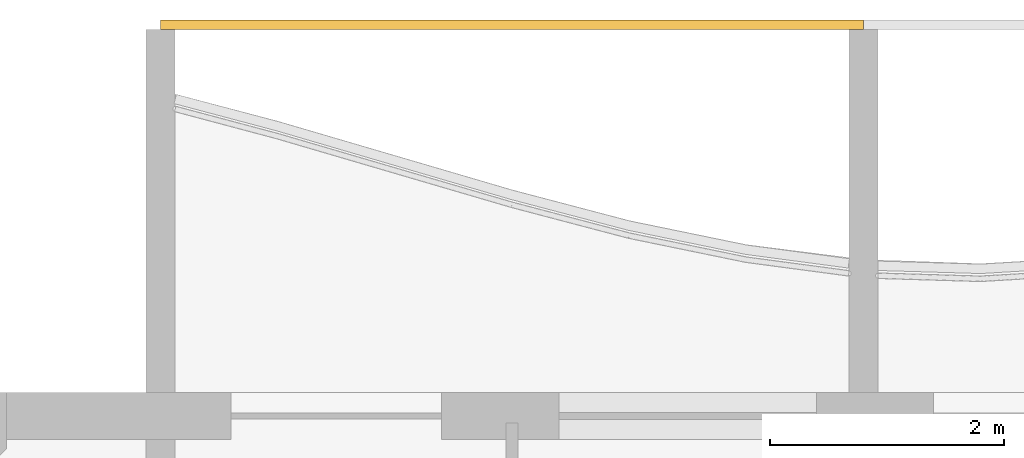
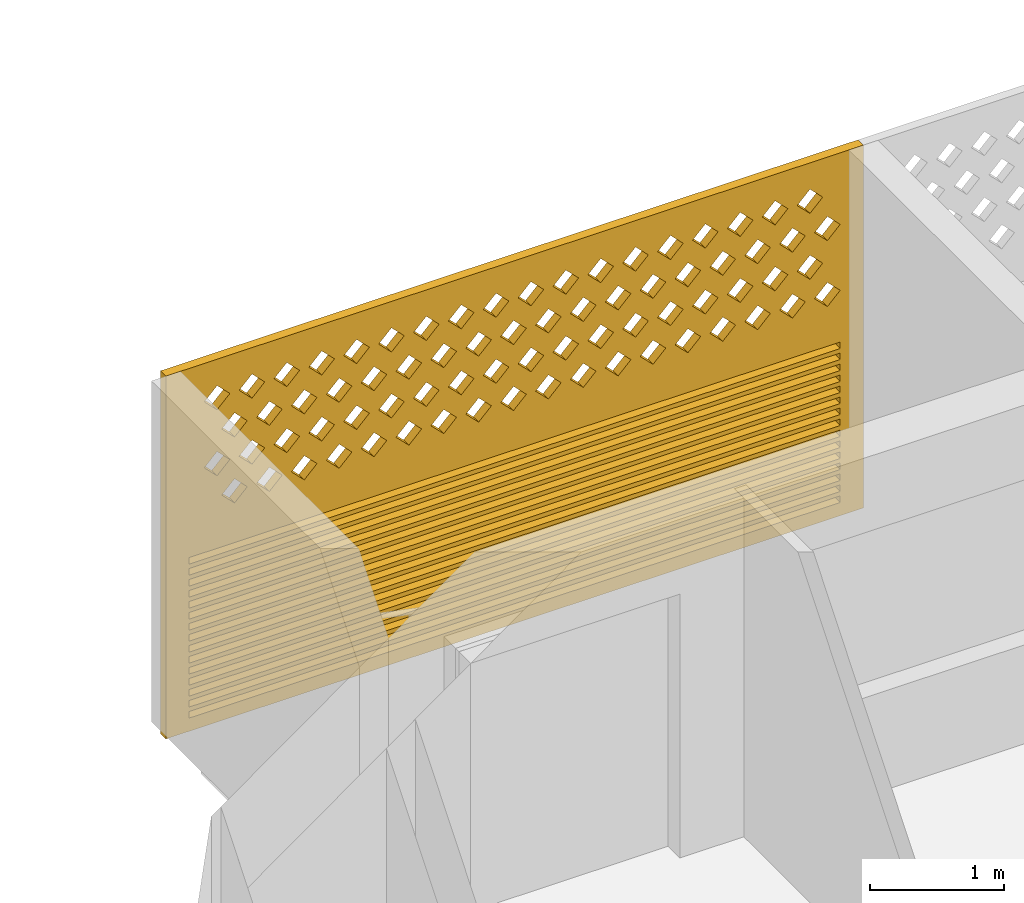
# One storey, part 17 of 27: 1 covering.
"""IFC4 building model written with IfcOpenShell, lengths in metres."""

from ifc_helpers import new_model, si_unit, direction, frame, origin, place, context, subcontext, project, spatial, polyline, outline, extrude, source, transform, mapped, material, material_profile, profile_set, type_object, element, save


model = new_model("IFC4")

# Units and contexts
model_context = context("Model", 3, precision=1e-05, world=origin(), true_north=direction((0.0, 1.0)))
body_context = subcontext(model_context, "Body", "Model", "MODEL_VIEW")
ifc_project = project(units=[si_unit("LENGTHUNIT", "METRE"), si_unit("AREAUNIT", "SQUARE_METRE"), si_unit("VOLUMEUNIT", "CUBIC_METRE"), si_unit("PLANEANGLEUNIT", "RADIAN"), si_unit("MASSUNIT", "GRAM", prefix="KILO")], contexts=[model_context])

# Site, building, storey
site_placement = place(None, origin())
site = spatial("IfcSite", under=ifc_project, at=site_placement, CompositionType="ELEMENT")
building_placement = place(site_placement, origin())
building = spatial("IfcBuilding", under=site, at=building_placement, Name="Poui Terraces", CompositionType="ELEMENT")
storey_placement = place(building_placement, frame((0.0, 0.0, 191.699951171875)))
storey = spatial("IfcBuildingStorey", under=building, at=storey_placement, Name="L53", CompositionType="ELEMENT", Elevation=191.699951171875)

# Covering
ifc_material = material(Name="Terracotta screen", Category="masonry")
ifc_material_profile = material_profile(ifc_material, outline(polyline([(-3.0, -1.64990234375), (3.0, -1.64990234375), (3.0, 1.64990234375), (-3.0, 1.64990234375), (-3.0, -1.64990234375)]), holes=[polyline([(-2.800048828125, 0.39990234375), (-2.68994140625, 0.2900390625), (-2.580078125, 0.39990234375), (-2.68994140625, 0.510009765625), (-2.800048828125, 0.39990234375)]), polyline([(-2.5, 0.39990234375), (-2.389892578125, 0.2900390625), (-2.280029296875, 0.39990234375), (-2.389892578125, 0.510009765625), (-2.5, 0.39990234375)]), polyline([(-2.199951171875, 0.39990234375), (-2.090087890625, 0.2900390625), (-1.97998046875, 0.39990234375), (-2.090087890625, 0.510009765625), (-2.199951171875, 0.39990234375)]), polyline([(-1.89990234375, 0.39990234375), (-1.7900390625, 0.2900390625), (-1.679931640625, 0.39990234375), (-1.7900390625, 0.510009765625), (-1.89990234375, 0.39990234375)]), polyline([(-1.60009765625, 0.39990234375), (-1.489990234375, 0.2900390625), (-1.3798828125, 0.39990234375), (-1.489990234375, 0.510009765625), (-1.60009765625, 0.39990234375)]), polyline([(-1.300048828125, 0.39990234375), (-1.18994140625, 0.2900390625), (-1.080078125, 0.39990234375), (-1.18994140625, 0.510009765625), (-1.300048828125, 0.39990234375)]), polyline([(-1.0, 0.39990234375), (-0.889892578125, 0.2900390625), (-0.780029296875, 0.39990234375), (-0.889892578125, 0.510009765625), (-1.0, 0.39990234375)]), polyline([(-0.699951171875, 0.39990234375), (-0.590087890625, 0.2900390625), (-0.47998046875, 0.39990234375), (-0.590087890625, 0.510009765625), (-0.699951171875, 0.39990234375)]), polyline([(-0.39990234375, 0.39990234375), (-0.2900390625, 0.2900390625), (-0.179931640625, 0.39990234375), (-0.2900390625, 0.510009765625), (-0.39990234375, 0.39990234375)]), polyline([(-0.10009765625, 0.39990234375), (0.010009765625, 0.2900390625), (0.1201171875, 0.39990234375), (0.010009765625, 0.510009765625), (-0.10009765625, 0.39990234375)]), polyline([(0.199951171875, 0.39990234375), (0.31005859375, 0.2900390625), (0.419921875, 0.39990234375), (0.31005859375, 0.510009765625), (0.199951171875, 0.39990234375)]), polyline([(0.5, 0.39990234375), (0.610107421875, 0.2900390625), (0.719970703125, 0.39990234375), (0.610107421875, 0.510009765625), (0.5, 0.39990234375)]), polyline([(0.800048828125, 0.39990234375), (0.909912109375, 0.2900390625), (1.02001953125, 0.39990234375), (0.909912109375, 0.510009765625), (0.800048828125, 0.39990234375)]), polyline([(1.10009765625, 0.39990234375), (1.2099609375, 0.2900390625), (1.320068359375, 0.39990234375), (1.2099609375, 0.510009765625), (1.10009765625, 0.39990234375)]), polyline([(1.39990234375, 0.39990234375), (1.510009765625, 0.2900390625), (1.6201171875, 0.39990234375), (1.510009765625, 0.510009765625), (1.39990234375, 0.39990234375)]), polyline([(1.699951171875, 0.39990234375), (1.81005859375, 0.2900390625), (1.919921875, 0.39990234375), (1.81005859375, 0.510009765625), (1.699951171875, 0.39990234375)]), polyline([(2.0, 0.39990234375), (2.110107421875, 0.2900390625), (2.219970703125, 0.39990234375), (2.110107421875, 0.510009765625), (2.0, 0.39990234375)]), polyline([(2.300048828125, 0.39990234375), (2.409912109375, 0.2900390625), (2.52001953125, 0.39990234375), (2.409912109375, 0.510009765625), (2.300048828125, 0.39990234375)]), polyline([(-2.64990234375, 0.699951171875), (-2.5400390625, 0.590087890625), (-2.429931640625, 0.699951171875), (-2.5400390625, 0.81005859375), (-2.64990234375, 0.699951171875)]), polyline([(-2.35009765625, 0.699951171875), (-2.239990234375, 0.590087890625), (-2.1298828125, 0.699951171875), (-2.239990234375, 0.81005859375), (-2.35009765625, 0.699951171875)]), polyline([(-2.050048828125, 0.699951171875), (-1.93994140625, 0.590087890625), (-1.830078125, 0.699951171875), (-1.93994140625, 0.81005859375), (-2.050048828125, 0.699951171875)]), polyline([(-1.75, 0.699951171875), (-1.639892578125, 0.590087890625), (-1.530029296875, 0.699951171875), (-1.639892578125, 0.81005859375), (-1.75, 0.699951171875)]), polyline([(-1.449951171875, 0.699951171875), (-1.340087890625, 0.590087890625), (-1.22998046875, 0.699951171875), (-1.340087890625, 0.81005859375), (-1.449951171875, 0.699951171875)]), polyline([(-1.14990234375, 0.699951171875), (-1.0400390625, 0.590087890625), (-0.929931640625, 0.699951171875), (-1.0400390625, 0.81005859375), (-1.14990234375, 0.699951171875)]), polyline([(-0.85009765625, 0.699951171875), (-0.739990234375, 0.590087890625), (-0.6298828125, 0.699951171875), (-0.739990234375, 0.81005859375), (-0.85009765625, 0.699951171875)]), polyline([(-0.550048828125, 0.699951171875), (-0.43994140625, 0.590087890625), (-0.330078125, 0.699951171875), (-0.43994140625, 0.81005859375), (-0.550048828125, 0.699951171875)]), polyline([(-0.25, 0.699951171875), (-0.139892578125, 0.590087890625), (-0.030029296875, 0.699951171875), (-0.139892578125, 0.81005859375), (-0.25, 0.699951171875)]), polyline([(0.050048828125, 0.699951171875), (0.159912109375, 0.590087890625), (0.27001953125, 0.699951171875), (0.159912109375, 0.81005859375), (0.050048828125, 0.699951171875)]), polyline([(0.35009765625, 0.699951171875), (0.4599609375, 0.590087890625), (0.570068359375, 0.699951171875), (0.4599609375, 0.81005859375), (0.35009765625, 0.699951171875)]), polyline([(0.64990234375, 0.699951171875), (0.760009765625, 0.590087890625), (0.8701171875, 0.699951171875), (0.760009765625, 0.81005859375), (0.64990234375, 0.699951171875)]), polyline([(0.949951171875, 0.699951171875), (1.06005859375, 0.590087890625), (1.169921875, 0.699951171875), (1.06005859375, 0.81005859375), (0.949951171875, 0.699951171875)]), polyline([(1.25, 0.699951171875), (1.360107421875, 0.590087890625), (1.469970703125, 0.699951171875), (1.360107421875, 0.81005859375), (1.25, 0.699951171875)]), polyline([(1.550048828125, 0.699951171875), (1.659912109375, 0.590087890625), (1.77001953125, 0.699951171875), (1.659912109375, 0.81005859375), (1.550048828125, 0.699951171875)]), polyline([(1.85009765625, 0.699951171875), (1.9599609375, 0.590087890625), (2.070068359375, 0.699951171875), (1.9599609375, 0.81005859375), (1.85009765625, 0.699951171875)]), polyline([(2.14990234375, 0.699951171875), (2.260009765625, 0.590087890625), (2.3701171875, 0.699951171875), (2.260009765625, 0.81005859375), (2.14990234375, 0.699951171875)]), polyline([(2.449951171875, 0.699951171875), (2.56005859375, 0.590087890625), (2.669921875, 0.699951171875), (2.56005859375, 0.81005859375), (2.449951171875, 0.699951171875)]), polyline([(-2.800048828125, 1.0), (-2.68994140625, 0.889892578125), (-2.580078125, 1.0), (-2.68994140625, 1.110107421875), (-2.800048828125, 1.0)]), polyline([(-2.5, 1.0), (-2.389892578125, 0.889892578125), (-2.280029296875, 1.0), (-2.389892578125, 1.110107421875), (-2.5, 1.0)]), polyline([(-2.199951171875, 1.0), (-2.090087890625, 0.889892578125), (-1.97998046875, 1.0), (-2.090087890625, 1.110107421875), (-2.199951171875, 1.0)]), polyline([(-1.89990234375, 1.0), (-1.7900390625, 0.889892578125), (-1.679931640625, 1.0), (-1.7900390625, 1.110107421875), (-1.89990234375, 1.0)]), polyline([(-1.60009765625, 1.0), (-1.489990234375, 0.889892578125), (-1.3798828125, 1.0), (-1.489990234375, 1.110107421875), (-1.60009765625, 1.0)]), polyline([(-1.300048828125, 1.0), (-1.18994140625, 0.889892578125), (-1.080078125, 1.0), (-1.18994140625, 1.110107421875), (-1.300048828125, 1.0)]), polyline([(-1.0, 1.0), (-0.889892578125, 0.889892578125), (-0.780029296875, 1.0), (-0.889892578125, 1.110107421875), (-1.0, 1.0)]), polyline([(-0.699951171875, 1.0), (-0.590087890625, 0.889892578125), (-0.47998046875, 1.0), (-0.590087890625, 1.110107421875), (-0.699951171875, 1.0)]), polyline([(-0.39990234375, 1.0), (-0.2900390625, 0.889892578125), (-0.179931640625, 1.0), (-0.2900390625, 1.110107421875), (-0.39990234375, 1.0)]), polyline([(-0.10009765625, 1.0), (0.010009765625, 0.889892578125), (0.1201171875, 1.0), (0.010009765625, 1.110107421875), (-0.10009765625, 1.0)]), polyline([(0.199951171875, 1.0), (0.31005859375, 0.889892578125), (0.419921875, 1.0), (0.31005859375, 1.110107421875), (0.199951171875, 1.0)]), polyline([(0.5, 1.0), (0.610107421875, 0.889892578125), (0.719970703125, 1.0), (0.610107421875, 1.110107421875), (0.5, 1.0)]), polyline([(0.800048828125, 1.0), (0.909912109375, 0.889892578125), (1.02001953125, 1.0), (0.909912109375, 1.110107421875), (0.800048828125, 1.0)]), polyline([(1.10009765625, 1.0), (1.2099609375, 0.889892578125), (1.320068359375, 1.0), (1.2099609375, 1.110107421875), (1.10009765625, 1.0)]), polyline([(1.39990234375, 1.0), (1.510009765625, 0.889892578125), (1.6201171875, 1.0), (1.510009765625, 1.110107421875), (1.39990234375, 1.0)]), polyline([(1.699951171875, 1.0), (1.81005859375, 0.889892578125), (1.919921875, 1.0), (1.81005859375, 1.110107421875), (1.699951171875, 1.0)]), polyline([(2.0, 1.0), (2.110107421875, 0.889892578125), (2.219970703125, 1.0), (2.110107421875, 1.110107421875), (2.0, 1.0)]), polyline([(2.300048828125, 1.0), (2.409912109375, 0.889892578125), (2.52001953125, 1.0), (2.409912109375, 1.110107421875), (2.300048828125, 1.0)]), polyline([(-2.64990234375, 1.300048828125), (-2.5400390625, 1.18994140625), (-2.429931640625, 1.300048828125), (-2.5400390625, 1.409912109375), (-2.64990234375, 1.300048828125)]), polyline([(-2.35009765625, 1.300048828125), (-2.239990234375, 1.18994140625), (-2.1298828125, 1.300048828125), (-2.239990234375, 1.409912109375), (-2.35009765625, 1.300048828125)]), polyline([(-2.050048828125, 1.300048828125), (-1.93994140625, 1.18994140625), (-1.830078125, 1.300048828125), (-1.93994140625, 1.409912109375), (-2.050048828125, 1.300048828125)]), polyline([(-1.75, 1.300048828125), (-1.639892578125, 1.18994140625), (-1.530029296875, 1.300048828125), (-1.639892578125, 1.409912109375), (-1.75, 1.300048828125)]), polyline([(-1.449951171875, 1.300048828125), (-1.340087890625, 1.18994140625), (-1.22998046875, 1.300048828125), (-1.340087890625, 1.409912109375), (-1.449951171875, 1.300048828125)]), polyline([(-1.14990234375, 1.300048828125), (-1.0400390625, 1.18994140625), (-0.929931640625, 1.300048828125), (-1.0400390625, 1.409912109375), (-1.14990234375, 1.300048828125)]), polyline([(-0.85009765625, 1.300048828125), (-0.739990234375, 1.18994140625), (-0.6298828125, 1.300048828125), (-0.739990234375, 1.409912109375), (-0.85009765625, 1.300048828125)]), polyline([(-0.550048828125, 1.300048828125), (-0.43994140625, 1.18994140625), (-0.330078125, 1.300048828125), (-0.43994140625, 1.409912109375), (-0.550048828125, 1.300048828125)]), polyline([(-0.25, 1.300048828125), (-0.139892578125, 1.18994140625), (-0.030029296875, 1.300048828125), (-0.139892578125, 1.409912109375), (-0.25, 1.300048828125)]), polyline([(0.050048828125, 1.300048828125), (0.159912109375, 1.18994140625), (0.27001953125, 1.300048828125), (0.159912109375, 1.409912109375), (0.050048828125, 1.300048828125)]), polyline([(0.35009765625, 1.300048828125), (0.4599609375, 1.18994140625), (0.570068359375, 1.300048828125), (0.4599609375, 1.409912109375), (0.35009765625, 1.300048828125)]), polyline([(0.64990234375, 1.300048828125), (0.760009765625, 1.18994140625), (0.8701171875, 1.300048828125), (0.760009765625, 1.409912109375), (0.64990234375, 1.300048828125)]), polyline([(0.949951171875, 1.300048828125), (1.06005859375, 1.18994140625), (1.169921875, 1.300048828125), (1.06005859375, 1.409912109375), (0.949951171875, 1.300048828125)]), polyline([(1.25, 1.300048828125), (1.360107421875, 1.18994140625), (1.469970703125, 1.300048828125), (1.360107421875, 1.409912109375), (1.25, 1.300048828125)]), polyline([(1.550048828125, 1.300048828125), (1.659912109375, 1.18994140625), (1.77001953125, 1.300048828125), (1.659912109375, 1.409912109375), (1.550048828125, 1.300048828125)]), polyline([(1.85009765625, 1.300048828125), (1.9599609375, 1.18994140625), (2.070068359375, 1.300048828125), (1.9599609375, 1.409912109375), (1.85009765625, 1.300048828125)]), polyline([(2.14990234375, 1.300048828125), (2.260009765625, 1.18994140625), (2.3701171875, 1.300048828125), (2.260009765625, 1.409912109375), (2.14990234375, 1.300048828125)]), polyline([(2.449951171875, 1.300048828125), (2.56005859375, 1.18994140625), (2.669921875, 1.300048828125), (2.56005859375, 1.409912109375), (2.449951171875, 1.300048828125)]), polyline([(-2.800048828125, -1.530029296875), (2.800048828125, -1.530029296875), (2.800048828125, -1.469970703125), (-2.800048828125, -1.469970703125), (-2.800048828125, -1.530029296875)]), polyline([(-2.800048828125, -1.429931640625), (2.800048828125, -1.429931640625), (2.800048828125, -1.3701171875), (-2.800048828125, -1.3701171875), (-2.800048828125, -1.429931640625)]), polyline([(-2.800048828125, -1.330078125), (2.800048828125, -1.330078125), (2.800048828125, -1.27001953125), (-2.800048828125, -1.27001953125), (-2.800048828125, -1.330078125)]), polyline([(-2.800048828125, -1.22998046875), (2.800048828125, -1.22998046875), (2.800048828125, -1.169921875), (-2.800048828125, -1.169921875), (-2.800048828125, -1.22998046875)]), polyline([(-2.800048828125, -1.1298828125), (2.800048828125, -1.1298828125), (2.800048828125, -1.070068359375), (-2.800048828125, -1.070068359375), (-2.800048828125, -1.1298828125)]), polyline([(-2.800048828125, -1.030029296875), (2.800048828125, -1.030029296875), (2.800048828125, -0.969970703125), (-2.800048828125, -0.969970703125), (-2.800048828125, -1.030029296875)]), polyline([(-2.800048828125, -0.929931640625), (2.800048828125, -0.929931640625), (2.800048828125, -0.8701171875), (-2.800048828125, -0.8701171875), (-2.800048828125, -0.929931640625)]), polyline([(-2.800048828125, -0.830078125), (2.800048828125, -0.830078125), (2.800048828125, -0.77001953125), (-2.800048828125, -0.77001953125), (-2.800048828125, -0.830078125)]), polyline([(-2.800048828125, -0.72998046875), (2.800048828125, -0.72998046875), (2.800048828125, -0.669921875), (-2.800048828125, -0.669921875), (-2.800048828125, -0.72998046875)]), polyline([(-2.800048828125, -0.6298828125), (2.800048828125, -0.6298828125), (2.800048828125, -0.570068359375), (-2.800048828125, -0.570068359375), (-2.800048828125, -0.6298828125)]), polyline([(-2.800048828125, -0.530029296875), (2.800048828125, -0.530029296875), (2.800048828125, -0.469970703125), (-2.800048828125, -0.469970703125), (-2.800048828125, -0.530029296875)]), polyline([(-2.800048828125, -0.429931640625), (2.800048828125, -0.429931640625), (2.800048828125, -0.3701171875), (-2.800048828125, -0.3701171875), (-2.800048828125, -0.429931640625)]), polyline([(-2.800048828125, -0.330078125), (2.800048828125, -0.330078125), (2.800048828125, -0.27001953125), (-2.800048828125, -0.27001953125), (-2.800048828125, -0.330078125)]), polyline([(-2.800048828125, -0.22998046875), (2.800048828125, -0.22998046875), (2.800048828125, -0.169921875), (-2.800048828125, -0.169921875), (-2.800048828125, -0.22998046875)]), polyline([(-2.800048828125, -0.1298828125), (2.800048828125, -0.1298828125), (2.800048828125, -0.070068359375), (-2.800048828125, -0.070068359375), (-2.800048828125, -0.1298828125)])]), Name="TERRACOTTA SCREEN AND JALOUSIE LOUVRE 6000X3300")
ifc_profile_set = profile_set([ifc_material_profile], Name="Terracotta screen")
covering_type = type_object("IfcCoveringType", Name="TERRACOTTA SCREEN AND JALOUSIE LOUVRE 6000X3300", PredefinedType="CLADDING", material=ifc_profile_set)
shared_shape = source(origin(), body_context, "Body", "SweptSolid", [
    extrude(outline(polyline([(-3.0, -1.64990234375), (3.0, -1.64990234375), (3.0, 1.64990234375), (-3.0, 1.64990234375), (-3.0, -1.64990234375)]), holes=[polyline([(-2.800048828125, 0.39990234375), (-2.68994140625, 0.2900390625), (-2.580078125, 0.39990234375), (-2.68994140625, 0.510009765625), (-2.800048828125, 0.39990234375)]), polyline([(-2.5, 0.39990234375), (-2.389892578125, 0.2900390625), (-2.280029296875, 0.39990234375), (-2.389892578125, 0.510009765625), (-2.5, 0.39990234375)]), polyline([(-2.199951171875, 0.39990234375), (-2.090087890625, 0.2900390625), (-1.97998046875, 0.39990234375), (-2.090087890625, 0.510009765625), (-2.199951171875, 0.39990234375)]), polyline([(-1.89990234375, 0.39990234375), (-1.7900390625, 0.2900390625), (-1.679931640625, 0.39990234375), (-1.7900390625, 0.510009765625), (-1.89990234375, 0.39990234375)]), polyline([(-1.60009765625, 0.39990234375), (-1.489990234375, 0.2900390625), (-1.3798828125, 0.39990234375), (-1.489990234375, 0.510009765625), (-1.60009765625, 0.39990234375)]), polyline([(-1.300048828125, 0.39990234375), (-1.18994140625, 0.2900390625), (-1.080078125, 0.39990234375), (-1.18994140625, 0.510009765625), (-1.300048828125, 0.39990234375)]), polyline([(-1.0, 0.39990234375), (-0.889892578125, 0.2900390625), (-0.780029296875, 0.39990234375), (-0.889892578125, 0.510009765625), (-1.0, 0.39990234375)]), polyline([(-0.699951171875, 0.39990234375), (-0.590087890625, 0.2900390625), (-0.47998046875, 0.39990234375), (-0.590087890625, 0.510009765625), (-0.699951171875, 0.39990234375)]), polyline([(-0.39990234375, 0.39990234375), (-0.2900390625, 0.2900390625), (-0.179931640625, 0.39990234375), (-0.2900390625, 0.510009765625), (-0.39990234375, 0.39990234375)]), polyline([(-0.10009765625, 0.39990234375), (0.010009765625, 0.2900390625), (0.1201171875, 0.39990234375), (0.010009765625, 0.510009765625), (-0.10009765625, 0.39990234375)]), polyline([(0.199951171875, 0.39990234375), (0.31005859375, 0.2900390625), (0.419921875, 0.39990234375), (0.31005859375, 0.510009765625), (0.199951171875, 0.39990234375)]), polyline([(0.5, 0.39990234375), (0.610107421875, 0.2900390625), (0.719970703125, 0.39990234375), (0.610107421875, 0.510009765625), (0.5, 0.39990234375)]), polyline([(0.800048828125, 0.39990234375), (0.909912109375, 0.2900390625), (1.02001953125, 0.39990234375), (0.909912109375, 0.510009765625), (0.800048828125, 0.39990234375)]), polyline([(1.10009765625, 0.39990234375), (1.2099609375, 0.2900390625), (1.320068359375, 0.39990234375), (1.2099609375, 0.510009765625), (1.10009765625, 0.39990234375)]), polyline([(1.39990234375, 0.39990234375), (1.510009765625, 0.2900390625), (1.6201171875, 0.39990234375), (1.510009765625, 0.510009765625), (1.39990234375, 0.39990234375)]), polyline([(1.699951171875, 0.39990234375), (1.81005859375, 0.2900390625), (1.919921875, 0.39990234375), (1.81005859375, 0.510009765625), (1.699951171875, 0.39990234375)]), polyline([(2.0, 0.39990234375), (2.110107421875, 0.2900390625), (2.219970703125, 0.39990234375), (2.110107421875, 0.510009765625), (2.0, 0.39990234375)]), polyline([(2.300048828125, 0.39990234375), (2.409912109375, 0.2900390625), (2.52001953125, 0.39990234375), (2.409912109375, 0.510009765625), (2.300048828125, 0.39990234375)]), polyline([(-2.64990234375, 0.699951171875), (-2.5400390625, 0.590087890625), (-2.429931640625, 0.699951171875), (-2.5400390625, 0.81005859375), (-2.64990234375, 0.699951171875)]), polyline([(-2.35009765625, 0.699951171875), (-2.239990234375, 0.590087890625), (-2.1298828125, 0.699951171875), (-2.239990234375, 0.81005859375), (-2.35009765625, 0.699951171875)]), polyline([(-2.050048828125, 0.699951171875), (-1.93994140625, 0.590087890625), (-1.830078125, 0.699951171875), (-1.93994140625, 0.81005859375), (-2.050048828125, 0.699951171875)]), polyline([(-1.75, 0.699951171875), (-1.639892578125, 0.590087890625), (-1.530029296875, 0.699951171875), (-1.639892578125, 0.81005859375), (-1.75, 0.699951171875)]), polyline([(-1.449951171875, 0.699951171875), (-1.340087890625, 0.590087890625), (-1.22998046875, 0.699951171875), (-1.340087890625, 0.81005859375), (-1.449951171875, 0.699951171875)]), polyline([(-1.14990234375, 0.699951171875), (-1.0400390625, 0.590087890625), (-0.929931640625, 0.699951171875), (-1.0400390625, 0.81005859375), (-1.14990234375, 0.699951171875)]), polyline([(-0.85009765625, 0.699951171875), (-0.739990234375, 0.590087890625), (-0.6298828125, 0.699951171875), (-0.739990234375, 0.81005859375), (-0.85009765625, 0.699951171875)]), polyline([(-0.550048828125, 0.699951171875), (-0.43994140625, 0.590087890625), (-0.330078125, 0.699951171875), (-0.43994140625, 0.81005859375), (-0.550048828125, 0.699951171875)]), polyline([(-0.25, 0.699951171875), (-0.139892578125, 0.590087890625), (-0.030029296875, 0.699951171875), (-0.139892578125, 0.81005859375), (-0.25, 0.699951171875)]), polyline([(0.050048828125, 0.699951171875), (0.159912109375, 0.590087890625), (0.27001953125, 0.699951171875), (0.159912109375, 0.81005859375), (0.050048828125, 0.699951171875)]), polyline([(0.35009765625, 0.699951171875), (0.4599609375, 0.590087890625), (0.570068359375, 0.699951171875), (0.4599609375, 0.81005859375), (0.35009765625, 0.699951171875)]), polyline([(0.64990234375, 0.699951171875), (0.760009765625, 0.590087890625), (0.8701171875, 0.699951171875), (0.760009765625, 0.81005859375), (0.64990234375, 0.699951171875)]), polyline([(0.949951171875, 0.699951171875), (1.06005859375, 0.590087890625), (1.169921875, 0.699951171875), (1.06005859375, 0.81005859375), (0.949951171875, 0.699951171875)]), polyline([(1.25, 0.699951171875), (1.360107421875, 0.590087890625), (1.469970703125, 0.699951171875), (1.360107421875, 0.81005859375), (1.25, 0.699951171875)]), polyline([(1.550048828125, 0.699951171875), (1.659912109375, 0.590087890625), (1.77001953125, 0.699951171875), (1.659912109375, 0.81005859375), (1.550048828125, 0.699951171875)]), polyline([(1.85009765625, 0.699951171875), (1.9599609375, 0.590087890625), (2.070068359375, 0.699951171875), (1.9599609375, 0.81005859375), (1.85009765625, 0.699951171875)]), polyline([(2.14990234375, 0.699951171875), (2.260009765625, 0.590087890625), (2.3701171875, 0.699951171875), (2.260009765625, 0.81005859375), (2.14990234375, 0.699951171875)]), polyline([(2.449951171875, 0.699951171875), (2.56005859375, 0.590087890625), (2.669921875, 0.699951171875), (2.56005859375, 0.81005859375), (2.449951171875, 0.699951171875)]), polyline([(-2.800048828125, 1.0), (-2.68994140625, 0.889892578125), (-2.580078125, 1.0), (-2.68994140625, 1.110107421875), (-2.800048828125, 1.0)]), polyline([(-2.5, 1.0), (-2.389892578125, 0.889892578125), (-2.280029296875, 1.0), (-2.389892578125, 1.110107421875), (-2.5, 1.0)]), polyline([(-2.199951171875, 1.0), (-2.090087890625, 0.889892578125), (-1.97998046875, 1.0), (-2.090087890625, 1.110107421875), (-2.199951171875, 1.0)]), polyline([(-1.89990234375, 1.0), (-1.7900390625, 0.889892578125), (-1.679931640625, 1.0), (-1.7900390625, 1.110107421875), (-1.89990234375, 1.0)]), polyline([(-1.60009765625, 1.0), (-1.489990234375, 0.889892578125), (-1.3798828125, 1.0), (-1.489990234375, 1.110107421875), (-1.60009765625, 1.0)]), polyline([(-1.300048828125, 1.0), (-1.18994140625, 0.889892578125), (-1.080078125, 1.0), (-1.18994140625, 1.110107421875), (-1.300048828125, 1.0)]), polyline([(-1.0, 1.0), (-0.889892578125, 0.889892578125), (-0.780029296875, 1.0), (-0.889892578125, 1.110107421875), (-1.0, 1.0)]), polyline([(-0.699951171875, 1.0), (-0.590087890625, 0.889892578125), (-0.47998046875, 1.0), (-0.590087890625, 1.110107421875), (-0.699951171875, 1.0)]), polyline([(-0.39990234375, 1.0), (-0.2900390625, 0.889892578125), (-0.179931640625, 1.0), (-0.2900390625, 1.110107421875), (-0.39990234375, 1.0)]), polyline([(-0.10009765625, 1.0), (0.010009765625, 0.889892578125), (0.1201171875, 1.0), (0.010009765625, 1.110107421875), (-0.10009765625, 1.0)]), polyline([(0.199951171875, 1.0), (0.31005859375, 0.889892578125), (0.419921875, 1.0), (0.31005859375, 1.110107421875), (0.199951171875, 1.0)]), polyline([(0.5, 1.0), (0.610107421875, 0.889892578125), (0.719970703125, 1.0), (0.610107421875, 1.110107421875), (0.5, 1.0)]), polyline([(0.800048828125, 1.0), (0.909912109375, 0.889892578125), (1.02001953125, 1.0), (0.909912109375, 1.110107421875), (0.800048828125, 1.0)]), polyline([(1.10009765625, 1.0), (1.2099609375, 0.889892578125), (1.320068359375, 1.0), (1.2099609375, 1.110107421875), (1.10009765625, 1.0)]), polyline([(1.39990234375, 1.0), (1.510009765625, 0.889892578125), (1.6201171875, 1.0), (1.510009765625, 1.110107421875), (1.39990234375, 1.0)]), polyline([(1.699951171875, 1.0), (1.81005859375, 0.889892578125), (1.919921875, 1.0), (1.81005859375, 1.110107421875), (1.699951171875, 1.0)]), polyline([(2.0, 1.0), (2.110107421875, 0.889892578125), (2.219970703125, 1.0), (2.110107421875, 1.110107421875), (2.0, 1.0)]), polyline([(2.300048828125, 1.0), (2.409912109375, 0.889892578125), (2.52001953125, 1.0), (2.409912109375, 1.110107421875), (2.300048828125, 1.0)]), polyline([(-2.64990234375, 1.300048828125), (-2.5400390625, 1.18994140625), (-2.429931640625, 1.300048828125), (-2.5400390625, 1.409912109375), (-2.64990234375, 1.300048828125)]), polyline([(-2.35009765625, 1.300048828125), (-2.239990234375, 1.18994140625), (-2.1298828125, 1.300048828125), (-2.239990234375, 1.409912109375), (-2.35009765625, 1.300048828125)]), polyline([(-2.050048828125, 1.300048828125), (-1.93994140625, 1.18994140625), (-1.830078125, 1.300048828125), (-1.93994140625, 1.409912109375), (-2.050048828125, 1.300048828125)]), polyline([(-1.75, 1.300048828125), (-1.639892578125, 1.18994140625), (-1.530029296875, 1.300048828125), (-1.639892578125, 1.409912109375), (-1.75, 1.300048828125)]), polyline([(-1.449951171875, 1.300048828125), (-1.340087890625, 1.18994140625), (-1.22998046875, 1.300048828125), (-1.340087890625, 1.409912109375), (-1.449951171875, 1.300048828125)]), polyline([(-1.14990234375, 1.300048828125), (-1.0400390625, 1.18994140625), (-0.929931640625, 1.300048828125), (-1.0400390625, 1.409912109375), (-1.14990234375, 1.300048828125)]), polyline([(-0.85009765625, 1.300048828125), (-0.739990234375, 1.18994140625), (-0.6298828125, 1.300048828125), (-0.739990234375, 1.409912109375), (-0.85009765625, 1.300048828125)]), polyline([(-0.550048828125, 1.300048828125), (-0.43994140625, 1.18994140625), (-0.330078125, 1.300048828125), (-0.43994140625, 1.409912109375), (-0.550048828125, 1.300048828125)]), polyline([(-0.25, 1.300048828125), (-0.139892578125, 1.18994140625), (-0.030029296875, 1.300048828125), (-0.139892578125, 1.409912109375), (-0.25, 1.300048828125)]), polyline([(0.050048828125, 1.300048828125), (0.159912109375, 1.18994140625), (0.27001953125, 1.300048828125), (0.159912109375, 1.409912109375), (0.050048828125, 1.300048828125)]), polyline([(0.35009765625, 1.300048828125), (0.4599609375, 1.18994140625), (0.570068359375, 1.300048828125), (0.4599609375, 1.409912109375), (0.35009765625, 1.300048828125)]), polyline([(0.64990234375, 1.300048828125), (0.760009765625, 1.18994140625), (0.8701171875, 1.300048828125), (0.760009765625, 1.409912109375), (0.64990234375, 1.300048828125)]), polyline([(0.949951171875, 1.300048828125), (1.06005859375, 1.18994140625), (1.169921875, 1.300048828125), (1.06005859375, 1.409912109375), (0.949951171875, 1.300048828125)]), polyline([(1.25, 1.300048828125), (1.360107421875, 1.18994140625), (1.469970703125, 1.300048828125), (1.360107421875, 1.409912109375), (1.25, 1.300048828125)]), polyline([(1.550048828125, 1.300048828125), (1.659912109375, 1.18994140625), (1.77001953125, 1.300048828125), (1.659912109375, 1.409912109375), (1.550048828125, 1.300048828125)]), polyline([(1.85009765625, 1.300048828125), (1.9599609375, 1.18994140625), (2.070068359375, 1.300048828125), (1.9599609375, 1.409912109375), (1.85009765625, 1.300048828125)]), polyline([(2.14990234375, 1.300048828125), (2.260009765625, 1.18994140625), (2.3701171875, 1.300048828125), (2.260009765625, 1.409912109375), (2.14990234375, 1.300048828125)]), polyline([(2.449951171875, 1.300048828125), (2.56005859375, 1.18994140625), (2.669921875, 1.300048828125), (2.56005859375, 1.409912109375), (2.449951171875, 1.300048828125)]), polyline([(-2.800048828125, -1.530029296875), (2.800048828125, -1.530029296875), (2.800048828125, -1.469970703125), (-2.800048828125, -1.469970703125), (-2.800048828125, -1.530029296875)]), polyline([(-2.800048828125, -1.429931640625), (2.800048828125, -1.429931640625), (2.800048828125, -1.3701171875), (-2.800048828125, -1.3701171875), (-2.800048828125, -1.429931640625)]), polyline([(-2.800048828125, -1.330078125), (2.800048828125, -1.330078125), (2.800048828125, -1.27001953125), (-2.800048828125, -1.27001953125), (-2.800048828125, -1.330078125)]), polyline([(-2.800048828125, -1.22998046875), (2.800048828125, -1.22998046875), (2.800048828125, -1.169921875), (-2.800048828125, -1.169921875), (-2.800048828125, -1.22998046875)]), polyline([(-2.800048828125, -1.1298828125), (2.800048828125, -1.1298828125), (2.800048828125, -1.070068359375), (-2.800048828125, -1.070068359375), (-2.800048828125, -1.1298828125)]), polyline([(-2.800048828125, -1.030029296875), (2.800048828125, -1.030029296875), (2.800048828125, -0.969970703125), (-2.800048828125, -0.969970703125), (-2.800048828125, -1.030029296875)]), polyline([(-2.800048828125, -0.929931640625), (2.800048828125, -0.929931640625), (2.800048828125, -0.8701171875), (-2.800048828125, -0.8701171875), (-2.800048828125, -0.929931640625)]), polyline([(-2.800048828125, -0.830078125), (2.800048828125, -0.830078125), (2.800048828125, -0.77001953125), (-2.800048828125, -0.77001953125), (-2.800048828125, -0.830078125)]), polyline([(-2.800048828125, -0.72998046875), (2.800048828125, -0.72998046875), (2.800048828125, -0.669921875), (-2.800048828125, -0.669921875), (-2.800048828125, -0.72998046875)]), polyline([(-2.800048828125, -0.6298828125), (2.800048828125, -0.6298828125), (2.800048828125, -0.570068359375), (-2.800048828125, -0.570068359375), (-2.800048828125, -0.6298828125)]), polyline([(-2.800048828125, -0.530029296875), (2.800048828125, -0.530029296875), (2.800048828125, -0.469970703125), (-2.800048828125, -0.469970703125), (-2.800048828125, -0.530029296875)]), polyline([(-2.800048828125, -0.429931640625), (2.800048828125, -0.429931640625), (2.800048828125, -0.3701171875), (-2.800048828125, -0.3701171875), (-2.800048828125, -0.429931640625)]), polyline([(-2.800048828125, -0.330078125), (2.800048828125, -0.330078125), (2.800048828125, -0.27001953125), (-2.800048828125, -0.27001953125), (-2.800048828125, -0.330078125)]), polyline([(-2.800048828125, -0.22998046875), (2.800048828125, -0.22998046875), (2.800048828125, -0.169921875), (-2.800048828125, -0.169921875), (-2.800048828125, -0.22998046875)]), polyline([(-2.800048828125, -0.1298828125), (2.800048828125, -0.1298828125), (2.800048828125, -0.070068359375), (-2.800048828125, -0.070068359375), (-2.800048828125, -0.1298828125)])]), origin(), (0.0, 0.0, 1.0), 0.080078125),
])
covering_placement = place(storey_placement, frame((27.0, 44.5, 1.449951171875), z_axis=(0.0, 1.0, 0.0), x_axis=(-1.0, 0.0, 0.0)))
element("IfcCovering", 1, at=covering_placement, inside=storey, type_object=covering_type, Name="SOLAR SCREEN AND JALOUSIE LOUVRE", PredefinedType="CLADDING", context=body_context, shape_type="MappedRepresentation", body=[
    mapped(shared_shape, transform((0.0, 0.0, 0.0))),
])

save(model, "model.ifc")
